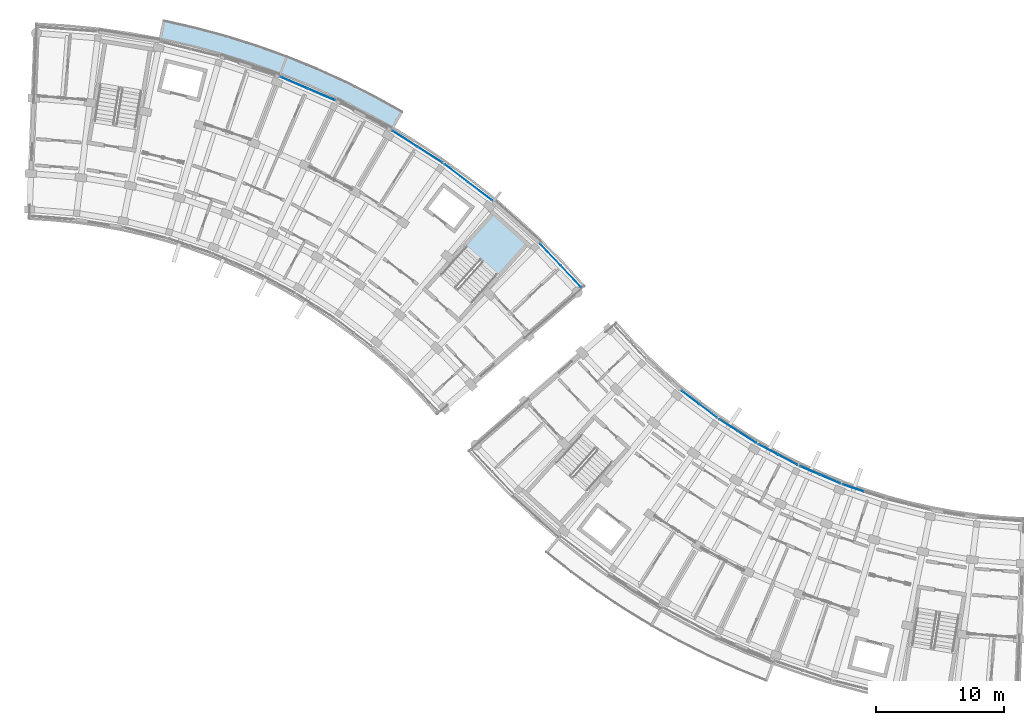
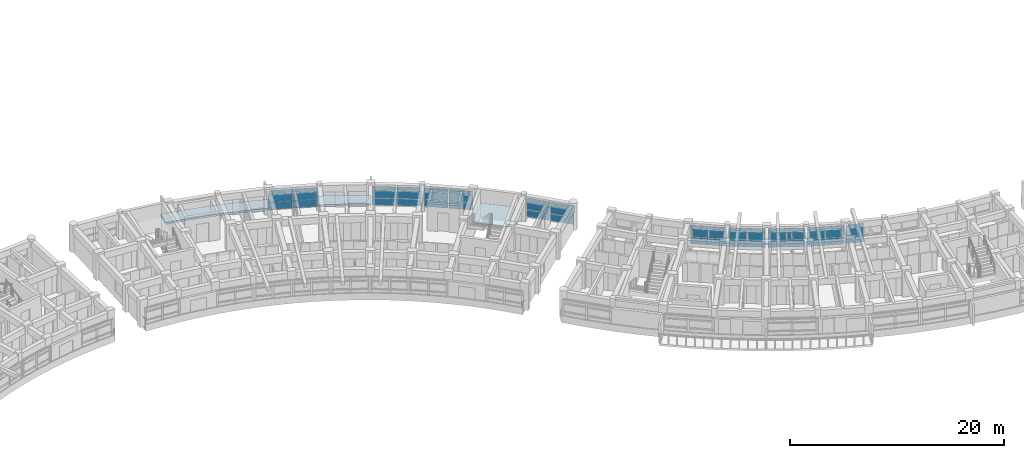
# One storey, part 36 of 70: 51 plates, 2 slabs, 10 elements without a shape of their own.
"""IFC4 building model written with IfcOpenShell, lengths in metres."""

import ifcopenshell
import ifcopenshell.guid

model = None  # the IFC model being written
_history = None  # IfcOwnerHistory: only IFC2X3 demands one
_inside = {}  # id of a spatial element -> (the spatial element, [elements in it])
_under = {}  # id of a project, library or spatial element -> (it, [spatial elements below it])
_declared = {}  # id of a project -> (the project, [libraries it declares])
_typed = {}  # id of a type object -> (the type object, [elements of that type])
_made_of = {}  # id of a material, layer set ... -> (it, [elements and type objects made of it])


def new_model(schema):
    """Start an empty IFC model of exactly this schema.

    Asked for "IFC4X3", IfcOpenShell would pick the latest addendum, in which some entities
    have other attributes; the version numbers below select the first issue.
    IFC2X3 requires an IfcOwnerHistory on every rooted entity: one is made here for all.
    """
    global model, _history
    if schema == "IFC4X3":
        model = ifcopenshell.file(schema_version=(4, 3, 0, 0))
    else:
        model = ifcopenshell.file(schema=schema)
    _inside.clear()
    _under.clear()
    _declared.clear()
    _typed.clear()
    _made_of.clear()
    _history = None
    if model.schema == "IFC2X3":
        org = make("IfcOrganization", Name="unknown")
        user = make(
            "IfcPersonAndOrganization",
            ThePerson=make("IfcPerson", FamilyName="unknown"),
            TheOrganization=org,
        )
        app = make(
            "IfcApplication",
            ApplicationDeveloper=org,
            Version="unknown",
            ApplicationFullName="unknown",
            ApplicationIdentifier="unknown",
        )
        _history = make(
            "IfcOwnerHistory",
            OwningUser=user,
            OwningApplication=app,
            ChangeAction="ADDED",
            CreationDate=0,
        )
    return model


def make(cls, **values):
    """One entity of the class cls with the attributes given. An attribute that is None is left unset."""
    return model.create_entity(
        cls, **{name: value for name, value in values.items() if value is not None}
    )


def rooted(cls, **values):
    """An entity with a GlobalId (a new one), such as an element, a storey or a relation."""
    return make(cls, GlobalId=ifcopenshell.guid.new(), OwnerHistory=_history, **values)


def si_unit(unit_type, name, prefix=None):
    """IfcSIUnit, for example si_unit("LENGTHUNIT", "METRE", prefix="MILLI")."""
    return make("IfcSIUnit", UnitType=unit_type, Prefix=prefix, Name=name)


def assignment(units):
    """IfcUnitAssignment: the units of a project."""
    return None if units is None else make("IfcUnitAssignment", Units=units)


def point(xyz):
    """IfcCartesianPoint."""
    return None if xyz is None else make("IfcCartesianPoint", Coordinates=xyz)


def direction(xyz):
    """IfcDirection."""
    return None if xyz is None else make("IfcDirection", DirectionRatios=xyz)


def frame(location, z_axis=None, x_axis=None):
    """IfcAxis2Placement3D, a coordinate frame: its origin and axes. An axis left out is left unset."""
    return make(
        "IfcAxis2Placement3D",
        Location=point(location),
        Axis=direction(z_axis),
        RefDirection=direction(x_axis),
    )


def frame_2d(location, x_axis=None):
    """IfcAxis2Placement2D, a coordinate frame in the plane: its origin and x axis."""
    return make(
        "IfcAxis2Placement2D", Location=point(location), RefDirection=direction(x_axis)
    )


def origin():
    """The frame at (0, 0, 0) with its axes left unset."""
    return frame((0.0, 0.0, 0.0))


def origin_2d():
    """The frame at (0, 0) in the plane with its x axis left unset."""
    return frame_2d((0.0, 0.0))


def place(relative_to, where):
    """IfcLocalPlacement: puts the frame where relative to a parent placement (None: the world)."""
    return make(
        "IfcLocalPlacement", PlacementRelTo=relative_to, RelativePlacement=where
    )


def context(
    kind, dimensions, precision=None, world=None, true_north=None, identifier=None
):
    """IfcGeometricRepresentationContext, for example the 3D "Model" context."""
    return make(
        "IfcGeometricRepresentationContext",
        ContextIdentifier=identifier,
        ContextType=kind,
        CoordinateSpaceDimension=dimensions,
        Precision=precision,
        WorldCoordinateSystem=world,
        TrueNorth=true_north,
    )


def subcontext(parent, identifier, kind, view, scale=None):
    """IfcGeometricRepresentationSubContext, for example "Body" below "Model"."""
    return make(
        "IfcGeometricRepresentationSubContext",
        ContextIdentifier=identifier,
        ContextType=kind,
        ParentContext=parent,
        TargetScale=scale,
        TargetView=view,
    )


def project(units=None, contexts=None):
    """IfcProject with its units and contexts."""
    return rooted(
        "IfcProject",
        Name="project",
        RepresentationContexts=contexts,
        UnitsInContext=assignment(units),
    )


def spatial(cls, under=None, at=None, **own):
    """A site, building, storey or space (cls), placed at a placement, below another one or the project."""
    s = rooted(cls, ObjectPlacement=at, **own)
    if under is not None:
        _under.setdefault(under.id(), (under, []))[1].append(s)
    return s


def polyline(points):
    """IfcPolyline through the points."""
    return make("IfcPolyline", Points=[point(p) for p in points])


def profile(cls, at=None, kind="AREA", **sizes):
    """A parametric profile (cls). Its sizes go by their IFC names, for example OverallWidth=200.0."""
    return make(cls, ProfileType=kind, Position=at, **sizes)


def rectangle(**sizes):
    """IfcRectangleProfileDef."""
    return profile("IfcRectangleProfileDef", **sizes)


def outline(outer, holes=None, kind="AREA"):
    """IfcArbitraryClosedProfileDef: a profile drawn as a closed curve; with holes, ...WithVoids."""
    if holes is None:
        return make("IfcArbitraryClosedProfileDef", ProfileType=kind, OuterCurve=outer)
    return make(
        "IfcArbitraryProfileDefWithVoids",
        ProfileType=kind,
        OuterCurve=outer,
        InnerCurves=holes,
    )


def extrude(swept, where, along, depth):
    """IfcExtrudedAreaSolid: the profile swept, set in the frame where, extruded along a direction by depth."""
    return make(
        "IfcExtrudedAreaSolid",
        SweptArea=swept,
        Position=where,
        ExtrudedDirection=direction(along),
        Depth=depth,
    )


def shape(context_of_items, identifier, shape_type, items):
    """IfcShapeRepresentation: the items that make up one representation, for example the "Body"."""
    return make(
        "IfcShapeRepresentation",
        ContextOfItems=context_of_items,
        RepresentationIdentifier=identifier,
        RepresentationType=shape_type,
        Items=items,
    )


def material(Name=None, Category=None):
    """IfcMaterial."""
    return make("IfcMaterial", Name=Name, Category=Category)


def layer(
    of_material, thickness, ventilated=None, Name=None, Category=None, Priority=None
):
    """IfcMaterialLayer: one layer of a wall or slab, of a material (None: an air gap)."""
    return make(
        "IfcMaterialLayer",
        Material=of_material,
        LayerThickness=thickness,
        IsVentilated=ventilated,
        Name=Name,
        Category=Category,
        Priority=Priority,
    )


def layer_set(layers, Name=None):
    """IfcMaterialLayerSet."""
    return make("IfcMaterialLayerSet", MaterialLayers=layers, LayerSetName=Name)


def made_of(thing, what):
    """Note that an element or type object is made of a material, layer set ...; save() writes the relation."""
    if what is not None:
        _made_of.setdefault(what.id(), (what, []))[1].append(thing)
    return thing


def type_object(cls, material=None, **own):
    """A type object (cls), such as IfcWallType, which elements share."""
    return made_of(rooted(cls, **own), material)


def element(
    cls,
    number,
    at=None,
    inside=None,
    cuts=None,
    type_object=None,
    material=None,
    context=None,
    identifier="Body",
    shape_type=None,
    held_by="IfcProductDefinitionShape",
    body=None,
    shapes=None,
    **own,
):
    """One element of the class cls, such as IfcWall. Its Tag is "e" and its number.

    at: its placement. inside: the storey or other place that contains it. cuts: it is an
    opening in that element (IfcRelVoidsElement). A single representation is given by context,
    identifier, shape_type and body (its items); several are given by shapes. held_by: the class
    of the entity that holds the representations. save() writes the other relations.
    """
    e = rooted(cls, Tag="e%d" % number, ObjectPlacement=at, **own)
    if body is not None:
        shapes = [shape(context, identifier, shape_type, body)]
    if shapes is not None:
        e.Representation = make(held_by, Representations=shapes)
    if inside is not None:
        _inside.setdefault(inside.id(), (inside, []))[1].append(e)
    if cuts is not None:
        rooted(
            "IfcRelVoidsElement", RelatingBuildingElement=cuts, RelatedOpeningElement=e
        )
    if type_object is not None:
        _typed.setdefault(type_object.id(), (type_object, []))[1].append(e)
    return made_of(e, material)


def aggregate(whole, parts):
    """IfcRelAggregates: a whole, such as a stair, and the parts it consists of."""
    return rooted("IfcRelAggregates", RelatingObject=whole, RelatedObjects=parts)


def save(model, path):
    """Write the relations noted so far, then the file.

    IfcRelAggregates (storeys below a building ...), IfcRelContainedInSpatialStructure (elements
    in a storey), IfcRelDefinesByType, IfcRelAssociatesMaterial and IfcRelDeclares: one each for
    every whole, place, type object, material and project.
    """
    for whole, parts in _under.values():
        aggregate(whole, parts)
    for where, things in _inside.values():
        rooted(
            "IfcRelContainedInSpatialStructure",
            RelatedElements=things,
            RelatingStructure=where,
        )
    for kind, things in _typed.values():
        rooted("IfcRelDefinesByType", RelatedObjects=things, RelatingType=kind)
    for what, things in _made_of.values():
        rooted("IfcRelAssociatesMaterial", RelatedObjects=things, RelatingMaterial=what)
    for by, libraries in _declared.values():
        rooted("IfcRelDeclares", RelatingContext=by, RelatedDefinitions=libraries)
    model.write(path)


model = new_model("IFC4")

# Units and contexts
model_context = context("Model", 3, precision=1e-05, world=origin(), true_north=direction((0.0, 1.0)))
body_context = subcontext(model_context, "Body", "Model", "MODEL_VIEW")
ifc_project = project(units=[si_unit("LENGTHUNIT", "METRE"), si_unit("AREAUNIT", "SQUARE_METRE"), si_unit("VOLUMEUNIT", "CUBIC_METRE"), si_unit("PLANEANGLEUNIT", "RADIAN"), si_unit("MASSUNIT", "GRAM", prefix="KILO")], contexts=[model_context])

# Site, building, storey
site_placement = place(None, origin())
site = spatial("IfcSite", under=ifc_project, at=site_placement, CompositionType="ELEMENT")
building_placement = place(site_placement, origin())
building = spatial("IfcBuilding", under=site, at=building_placement, Name="Zimvara Arc Housing Community", CompositionType="ELEMENT")
storey_placement = place(building_placement, frame((0.0, 0.0, 8.10009765625)))
storey = spatial("IfcBuildingStorey", under=building, at=storey_placement, Name="L02", CompositionType="ELEMENT", Elevation=8.10009765625)

# Curtain wall, plates
ifc_material_1 = material(Name="Anodised Aluminium AW-6063", Category="aluminium")
curtain_wall_type_1 = type_object("IfcCurtainWallType", Name="CW-SYS-08", PredefinedType="USERDEFINED", material=ifc_material_1)
curtain_wall_1_placement = place(storey_placement, origin())
curtain_wall_1 = element("IfcCurtainWall", 1, at=curtain_wall_1_placement, inside=storey, type_object=curtain_wall_type_1, Name="cw:blkC:L02:in:b2", ObjectType="CURTAIN WALL", PredefinedType="USERDEFINED")
ifc_material_2 = material(Name="Pale-Gold Anodised Aluminium Spandrel Panel", Category="aluminium")
ifc_layer_1 = layer(ifc_material_2, 0.035888671875)
ifc_layer_set_1 = layer_set([ifc_layer_1], Name="Pale-Gold Anodised Aluminium Spandrel Panel")
plate_type_1 = type_object("IfcPlateType", Name="CWP-GLD-36", PredefinedType="CURTAIN_PANEL", material=ifc_layer_set_1)
plate_1_placement = place(storey_placement, frame((98.275634765625, 74.91943359375, 0.06494140625), z_axis=(0.0, 0.0, 1.0), x_axis=(0.795473543119, -0.605988318533, 0.0)))
plate_1 = element("IfcPlate", 2, at=plate_1_placement, type_object=plate_type_1, Name="CW08 panel 1.1", PredefinedType="CURTAIN_PANEL", context=body_context, shape_type="SweptSolid", body=[
    extrude(rectangle(XDim=1.664306640625, YDim=0.035888671875, at=origin_2d()), origin(), (0.0, 0.0, 1.0), 0.75244140625),
])
plate_2_placement = place(storey_placement, frame((98.275634765625, 74.91943359375, 0.88232421875), z_axis=(0.0, 0.0, 1.0), x_axis=(0.795473543119, -0.605988318533, 0.0)))
plate_2 = element("IfcPlate", 3, at=plate_2_placement, type_object=plate_type_1, Name="CW08 panel 1.2", PredefinedType="CURTAIN_PANEL", context=body_context, shape_type="SweptSolid", body=[
    extrude(rectangle(XDim=1.664306640625, YDim=0.035888671875, at=origin_2d()), origin(), (0.0, 0.0, 1.0), 0.885009765625),
])
plate_3_placement = place(storey_placement, frame((98.275634765625, 74.91943359375, 1.832275390625), z_axis=(0.0, 0.0, 1.0), x_axis=(0.795473543119, -0.605988318533, 0.0)))
plate_3 = element("IfcPlate", 4, at=plate_3_placement, type_object=plate_type_1, Name="CW08 panel 1.3", PredefinedType="CURTAIN_PANEL", context=body_context, shape_type="SweptSolid", body=[
    extrude(rectangle(XDim=1.664306640625, YDim=0.035888671875, at=origin_2d()), origin(), (0.0, 0.0, 1.0), 0.3525390625),
])
plate_4_placement = place(storey_placement, frame((99.651123046875, 73.87158203125, 0.06494140625), z_axis=(0.0, 0.0, 1.0), x_axis=(0.795473543119, -0.605988318533, 0.0)))
plate_4 = element("IfcPlate", 5, at=plate_4_placement, type_object=plate_type_1, Name="CW08 panel 2.1", PredefinedType="CURTAIN_PANEL", context=body_context, shape_type="SweptSolid", body=[
    extrude(rectangle(XDim=1.664306640625, YDim=0.035888671875, at=origin_2d()), origin(), (0.0, 0.0, 1.0), 0.75244140625),
])
plate_5_placement = place(storey_placement, frame((99.651123046875, 73.87158203125, 0.88232421875), z_axis=(0.0, 0.0, 1.0), x_axis=(0.795473543119, -0.605988318533, 0.0)))
plate_5 = element("IfcPlate", 6, at=plate_5_placement, type_object=plate_type_1, Name="CW08 panel 2.2", PredefinedType="CURTAIN_PANEL", context=body_context, shape_type="SweptSolid", body=[
    extrude(rectangle(XDim=1.664306640625, YDim=0.035888671875, at=origin_2d()), origin(), (0.0, 0.0, 1.0), 0.885009765625),
])
plate_6_placement = place(storey_placement, frame((99.651123046875, 73.87158203125, 1.832275390625), z_axis=(0.0, 0.0, 1.0), x_axis=(0.795473543119, -0.605988318533, 0.0)))
plate_6 = element("IfcPlate", 7, at=plate_6_placement, type_object=plate_type_1, Name="CW08 panel 2.3", PredefinedType="CURTAIN_PANEL", context=body_context, shape_type="SweptSolid", body=[
    extrude(rectangle(XDim=1.664306640625, YDim=0.035888671875, at=origin_2d()), origin(), (0.0, 0.0, 1.0), 0.3525390625),
])
aggregate(curtain_wall_1, [plate_1, plate_2, plate_3, plate_4, plate_5, plate_6])

ifc_material_3 = material(Name="Anodised Aluminium AW-6063", Category="aluminium")
curtain_wall_type_2 = type_object("IfcCurtainWallType", Name="CW-SYS-04", PredefinedType="USERDEFINED", material=ifc_material_3)
curtain_wall_2_placement = place(storey_placement, origin())
curtain_wall_2 = element("IfcCurtainWall", 8, at=curtain_wall_2_placement, inside=storey, type_object=curtain_wall_type_2, Name="cw:blkC:L02:in:b5", ObjectType="CURTAIN WALL", PredefinedType="USERDEFINED")
plate_7_placement = place(storey_placement, frame((107.57958984375, 69.2421875, 0.06494140625), z_axis=(0.0, 0.0, 1.0), x_axis=(0.918722178415, -0.394904493375, 0.0)))
plate_7 = element("IfcPlate", 9, at=plate_7_placement, type_object=plate_type_1, Name="CW04 panel 1.1", PredefinedType="CURTAIN_PANEL", context=body_context, shape_type="SweptSolid", body=[
    extrude(rectangle(XDim=1.664306640625, YDim=0.035888671875, at=origin_2d()), origin(), (0.0, 0.0, 1.0), 0.75244140625),
])
plate_8_placement = place(storey_placement, frame((107.57958984375, 69.2421875, 0.88232421875), z_axis=(0.0, 0.0, 1.0), x_axis=(0.918722178415, -0.394904493375, 0.0)))
plate_8 = element("IfcPlate", 10, at=plate_8_placement, type_object=plate_type_1, Name="CW04 panel 1.2", PredefinedType="CURTAIN_PANEL", context=body_context, shape_type="SweptSolid", body=[
    extrude(rectangle(XDim=1.664306640625, YDim=0.035888671875, at=origin_2d()), origin(), (0.0, 0.0, 1.0), 0.885009765625),
])
plate_9_placement = place(storey_placement, frame((107.57958984375, 69.2421875, 1.832275390625), z_axis=(0.0, 0.0, 1.0), x_axis=(0.918722178415, -0.394904493375, 0.0)))
plate_9 = element("IfcPlate", 11, at=plate_9_placement, type_object=plate_type_1, Name="CW04 panel 1.3", PredefinedType="CURTAIN_PANEL", context=body_context, shape_type="SweptSolid", body=[
    extrude(rectangle(XDim=1.664306640625, YDim=0.035888671875, at=origin_2d()), origin(), (0.0, 0.0, 1.0), 0.3525390625),
])
plate_10_placement = place(storey_placement, frame((109.16845703125, 68.559326171875, 0.06494140625), z_axis=(0.0, 0.0, 1.0), x_axis=(0.918722178415, -0.394904493375, 0.0)))
plate_10 = element("IfcPlate", 12, at=plate_10_placement, type_object=plate_type_1, Name="CW04 panel 2.1", PredefinedType="CURTAIN_PANEL", context=body_context, shape_type="SweptSolid", body=[
    extrude(rectangle(XDim=1.664306640625, YDim=0.035888671875, at=origin_2d()), origin(), (0.0, 0.0, 1.0), 0.75244140625),
])
plate_11_placement = place(storey_placement, frame((109.16845703125, 68.559326171875, 0.88232421875), z_axis=(0.0, 0.0, 1.0), x_axis=(0.918722178415, -0.394904493375, 0.0)))
plate_11 = element("IfcPlate", 13, at=plate_11_placement, type_object=plate_type_1, Name="CW04 panel 2.2", PredefinedType="CURTAIN_PANEL", context=body_context, shape_type="SweptSolid", body=[
    extrude(rectangle(XDim=1.664306640625, YDim=0.035888671875, at=origin_2d()), origin(), (0.0, 0.0, 1.0), 0.885009765625),
])
plate_12_placement = place(storey_placement, frame((109.16845703125, 68.559326171875, 1.832275390625), z_axis=(0.0, 0.0, 1.0), x_axis=(0.918722178415, -0.394904493375, 0.0)))
plate_12 = element("IfcPlate", 14, at=plate_12_placement, type_object=plate_type_1, Name="CW04 panel 2.3", PredefinedType="CURTAIN_PANEL", context=body_context, shape_type="SweptSolid", body=[
    extrude(rectangle(XDim=1.664306640625, YDim=0.035888671875, at=origin_2d()), origin(), (0.0, 0.0, 1.0), 0.3525390625),
])
aggregate(curtain_wall_2, [plate_7, plate_8, plate_9, plate_10, plate_11, plate_12])

ifc_material_4 = material(Name="Anodised Aluminium AW-6063", Category="aluminium")
curtain_wall_type_3 = type_object("IfcCurtainWallType", Name="CW-SYS-01", PredefinedType="USERDEFINED", material=ifc_material_4)
curtain_wall_3_placement = place(storey_placement, origin())
curtain_wall_3 = element("IfcCurtainWall", 15, at=curtain_wall_3_placement, inside=storey, type_object=curtain_wall_type_3, Name="cw:blkB:L02:out:b6", ObjectType="CURTAIN WALL", PredefinedType="USERDEFINED")
ifc_material_5 = material(Name="Solar Control Low-E Double Glazing", Category="glass")
ifc_layer_2 = layer(ifc_material_5, 0.02392578125)
ifc_layer_set_2 = layer_set([ifc_layer_2], Name="Solar Control Low-E Double Glazing")
plate_type_2 = type_object("IfcPlateType", Name="CWP-GLZ-24", PredefinedType="CURTAIN_PANEL", material=ifc_layer_set_2)
plate_13_placement = place(storey_placement, frame((76.0009765625, 95.1005859375, 0.06494140625), z_axis=(0.0, 0.0, 1.0), x_axis=(0.842264410931, -0.539064617721, 0.0)))
plate_13 = element("IfcPlate", 16, at=plate_13_placement, type_object=plate_type_2, Name="CW01 panel 1.1", PredefinedType="CURTAIN_PANEL", context=body_context, shape_type="SweptSolid", body=[
    extrude(rectangle(XDim=2.266845703125, YDim=0.02392578125, at=origin_2d()), origin(), (0.0, 0.0, 1.0), 0.75244140625),
])
plate_14_placement = place(storey_placement, frame((76.0009765625, 95.1005859375, 0.88232421875), z_axis=(0.0, 0.0, 1.0), x_axis=(0.842264410931, -0.539064617721, 0.0)))
plate_14 = element("IfcPlate", 17, at=plate_14_placement, type_object=plate_type_2, Name="CW01 panel 1.2", PredefinedType="CURTAIN_PANEL", context=body_context, shape_type="SweptSolid", body=[
    extrude(rectangle(XDim=2.266845703125, YDim=0.02392578125, at=origin_2d()), origin(), (0.0, 0.0, 1.0), 0.885009765625),
])
plate_15_placement = place(storey_placement, frame((76.0009765625, 95.1005859375, 1.832275390625), z_axis=(0.0, 0.0, 1.0), x_axis=(0.842264410931, -0.539064617721, 0.0)))
plate_15 = element("IfcPlate", 18, at=plate_15_placement, type_object=plate_type_2, Name="CW01 panel 1.3", PredefinedType="CURTAIN_PANEL", context=body_context, shape_type="SweptSolid", body=[
    extrude(rectangle(XDim=2.266845703125, YDim=0.02392578125, at=origin_2d()), origin(), (0.0, 0.0, 1.0), 0.3525390625),
])
plate_16_placement = place(storey_placement, frame((77.965087890625, 93.843505859375, 0.06494140625), z_axis=(0.0, 0.0, 1.0), x_axis=(0.842264410931, -0.539064617721, 0.0)))
plate_16 = element("IfcPlate", 19, at=plate_16_placement, type_object=plate_type_2, Name="CW01 panel 2.1", PredefinedType="CURTAIN_PANEL", context=body_context, shape_type="SweptSolid", body=[
    extrude(rectangle(XDim=2.266845703125, YDim=0.02392578125, at=origin_2d()), origin(), (0.0, 0.0, 1.0), 0.75244140625),
])
plate_17_placement = place(storey_placement, frame((77.965087890625, 93.843505859375, 0.88232421875), z_axis=(0.0, 0.0, 1.0), x_axis=(0.842264410931, -0.539064617721, 0.0)))
plate_17 = element("IfcPlate", 20, at=plate_17_placement, type_object=plate_type_2, Name="CW01 panel 2.2", PredefinedType="CURTAIN_PANEL", context=body_context, shape_type="SweptSolid", body=[
    extrude(rectangle(XDim=2.266845703125, YDim=0.02392578125, at=origin_2d()), origin(), (0.0, 0.0, 1.0), 0.885009765625),
])
plate_18_placement = place(storey_placement, frame((77.965087890625, 93.843505859375, 1.832275390625), z_axis=(0.0, 0.0, 1.0), x_axis=(0.842264410931, -0.539064617721, 0.0)))
plate_18 = element("IfcPlate", 21, at=plate_18_placement, type_object=plate_type_2, Name="CW01 panel 2.3", PredefinedType="CURTAIN_PANEL", context=body_context, shape_type="SweptSolid", body=[
    extrude(rectangle(XDim=2.266845703125, YDim=0.02392578125, at=origin_2d()), origin(), (0.0, 0.0, 1.0), 0.3525390625),
])
aggregate(curtain_wall_3, [plate_13, plate_14, plate_15, plate_16, plate_17, plate_18])

ifc_material_6 = material(Name="Anodised Aluminium AW-6063", Category="aluminium")
curtain_wall_type_4 = type_object("IfcCurtainWallType", Name="CW-SYS-05", PredefinedType="USERDEFINED", material=ifc_material_6)
curtain_wall_4_placement = place(storey_placement, origin())
curtain_wall_4 = element("IfcCurtainWall", 22, at=curtain_wall_4_placement, inside=storey, type_object=curtain_wall_type_4, Name="cw:blkB:L02:out:b9", ObjectType="CURTAIN WALL", PredefinedType="USERDEFINED")
plate_19_placement = place(storey_placement, frame((87.350341796875, 86.068115234375, 0.06494140625), z_axis=(0.0, 0.0, 1.0), x_axis=(0.686326416495, -0.727293647725, 0.0)))
plate_19 = element("IfcPlate", 23, at=plate_19_placement, type_object=plate_type_2, Name="CW05 panel 1.1", PredefinedType="CURTAIN_PANEL", context=body_context, shape_type="SweptSolid", body=[
    extrude(rectangle(XDim=2.266845703125, YDim=0.02392578125, at=origin_2d()), origin(), (0.0, 0.0, 1.0), 0.75244140625),
])
plate_20_placement = place(storey_placement, frame((87.350341796875, 86.068115234375, 0.88232421875), z_axis=(0.0, 0.0, 1.0), x_axis=(0.686326416495, -0.727293647725, 0.0)))
plate_20 = element("IfcPlate", 24, at=plate_20_placement, type_object=plate_type_2, Name="CW05 panel 1.2", PredefinedType="CURTAIN_PANEL", context=body_context, shape_type="SweptSolid", body=[
    extrude(rectangle(XDim=2.266845703125, YDim=0.02392578125, at=origin_2d()), origin(), (0.0, 0.0, 1.0), 0.885009765625),
])
plate_21_placement = place(storey_placement, frame((87.350341796875, 86.068115234375, 1.832275390625), z_axis=(0.0, 0.0, 1.0), x_axis=(0.686326416495, -0.727293647725, 0.0)))
plate_21 = element("IfcPlate", 25, at=plate_21_placement, type_object=plate_type_2, Name="CW05 panel 1.3", PredefinedType="CURTAIN_PANEL", context=body_context, shape_type="SweptSolid", body=[
    extrude(rectangle(XDim=2.266845703125, YDim=0.02392578125, at=origin_2d()), origin(), (0.0, 0.0, 1.0), 0.3525390625),
])
plate_22_placement = place(storey_placement, frame((88.950927734375, 84.3720703125, 0.06494140625), z_axis=(0.0, 0.0, 1.0), x_axis=(0.686326416495, -0.727293647725, 0.0)))
plate_22 = element("IfcPlate", 26, at=plate_22_placement, type_object=plate_type_2, Name="CW05 panel 2.1", PredefinedType="CURTAIN_PANEL", context=body_context, shape_type="SweptSolid", body=[
    extrude(rectangle(XDim=2.266845703125, YDim=0.02392578125, at=origin_2d()), origin(), (0.0, 0.0, 1.0), 0.75244140625),
])
plate_23_placement = place(storey_placement, frame((88.950927734375, 84.3720703125, 0.88232421875), z_axis=(0.0, 0.0, 1.0), x_axis=(0.686326416495, -0.727293647725, 0.0)))
plate_23 = element("IfcPlate", 27, at=plate_23_placement, type_object=plate_type_2, Name="CW05 panel 2.2", PredefinedType="CURTAIN_PANEL", context=body_context, shape_type="SweptSolid", body=[
    extrude(rectangle(XDim=2.266845703125, YDim=0.02392578125, at=origin_2d()), origin(), (0.0, 0.0, 1.0), 0.885009765625),
])
plate_24_placement = place(storey_placement, frame((88.950927734375, 84.3720703125, 1.832275390625), z_axis=(0.0, 0.0, 1.0), x_axis=(0.686326416495, -0.727293647725, 0.0)))
plate_24 = element("IfcPlate", 28, at=plate_24_placement, type_object=plate_type_2, Name="CW05 panel 2.3", PredefinedType="CURTAIN_PANEL", context=body_context, shape_type="SweptSolid", body=[
    extrude(rectangle(XDim=2.266845703125, YDim=0.02392578125, at=origin_2d()), origin(), (0.0, 0.0, 1.0), 0.3525390625),
])
aggregate(curtain_wall_4, [plate_19, plate_20, plate_21, plate_22, plate_23, plate_24])

curtain_wall_5_placement = place(storey_placement, origin())
curtain_wall_5 = element("IfcCurtainWall", 29, at=curtain_wall_5_placement, inside=storey, type_object=curtain_wall_type_3, Name="cw:blkC:L02:in:b3", ObjectType="CURTAIN WALL", PredefinedType="USERDEFINED")
plate_25_placement = place(storey_placement, frame((101.21875, 72.775634765625, 0.06494140625), z_axis=(0.0, 0.0, 1.0), x_axis=(0.842264751752, -0.539064085203, 0.0)))
plate_25 = element("IfcPlate", 30, at=plate_25_placement, type_object=plate_type_2, Name="CW01 panel 1.1", PredefinedType="CURTAIN_PANEL", context=body_context, shape_type="SweptSolid", body=[
    extrude(rectangle(XDim=1.664306640625, YDim=0.02392578125, at=origin_2d()), origin(), (0.0, 0.0, 1.0), 0.75244140625),
])
plate_26_placement = place(storey_placement, frame((101.21875, 72.775634765625, 0.88232421875), z_axis=(0.0, 0.0, 1.0), x_axis=(0.842264751752, -0.539064085203, 0.0)))
plate_26 = element("IfcPlate", 31, at=plate_26_placement, type_object=plate_type_2, Name="CW01 panel 1.2", PredefinedType="CURTAIN_PANEL", context=body_context, shape_type="SweptSolid", body=[
    extrude(rectangle(XDim=1.664306640625, YDim=0.02392578125, at=origin_2d()), origin(), (0.0, 0.0, 1.0), 0.885009765625),
])
plate_27_placement = place(storey_placement, frame((101.21875, 72.775634765625, 1.832275390625), z_axis=(0.0, 0.0, 1.0), x_axis=(0.842264751752, -0.539064085203, 0.0)))
plate_27 = element("IfcPlate", 32, at=plate_27_placement, type_object=plate_type_2, Name="CW01 panel 1.3", PredefinedType="CURTAIN_PANEL", context=body_context, shape_type="SweptSolid", body=[
    extrude(rectangle(XDim=1.664306640625, YDim=0.02392578125, at=origin_2d()), origin(), (0.0, 0.0, 1.0), 0.3525390625),
])
plate_28_placement = place(storey_placement, frame((102.67529296875, 71.843505859375, 0.06494140625), z_axis=(0.0, 0.0, 1.0), x_axis=(0.842264751752, -0.539064085203, 0.0)))
plate_28 = element("IfcPlate", 33, at=plate_28_placement, type_object=plate_type_2, Name="CW01 panel 2.1", PredefinedType="CURTAIN_PANEL", context=body_context, shape_type="SweptSolid", body=[
    extrude(rectangle(XDim=1.664306640625, YDim=0.02392578125, at=origin_2d()), origin(), (0.0, 0.0, 1.0), 0.75244140625),
])
plate_29_placement = place(storey_placement, frame((102.67529296875, 71.843505859375, 0.88232421875), z_axis=(0.0, 0.0, 1.0), x_axis=(0.842264751752, -0.539064085203, 0.0)))
plate_29 = element("IfcPlate", 34, at=plate_29_placement, type_object=plate_type_2, Name="CW01 panel 2.2", PredefinedType="CURTAIN_PANEL", context=body_context, shape_type="SweptSolid", body=[
    extrude(rectangle(XDim=1.664306640625, YDim=0.02392578125, at=origin_2d()), origin(), (0.0, 0.0, 1.0), 0.885009765625),
])
plate_30_placement = place(storey_placement, frame((102.67529296875, 71.843505859375, 1.832275390625), z_axis=(0.0, 0.0, 1.0), x_axis=(0.842264751752, -0.539064085203, 0.0)))
plate_30 = element("IfcPlate", 35, at=plate_30_placement, type_object=plate_type_2, Name="CW01 panel 2.3", PredefinedType="CURTAIN_PANEL", context=body_context, shape_type="SweptSolid", body=[
    extrude(rectangle(XDim=1.664306640625, YDim=0.02392578125, at=origin_2d()), origin(), (0.0, 0.0, 1.0), 0.3525390625),
])
aggregate(curtain_wall_5, [plate_25, plate_26, plate_27, plate_28, plate_29, plate_30])

ifc_material_7 = material(Name="Anodised Aluminium AW-6063", Category="aluminium")
curtain_wall_type_5 = type_object("IfcCurtainWallType", Name="CW-SYS-06", PredefinedType="USERDEFINED", material=ifc_material_7)
curtain_wall_6_placement = place(storey_placement, origin())
curtain_wall_6 = element("IfcCurtainWall", 36, at=curtain_wall_6_placement, inside=storey, type_object=curtain_wall_type_5, Name="cw:blkB:L02:out:b4", ObjectType="CURTAIN WALL", PredefinedType="USERDEFINED")
ifc_material_8 = material(Name="Solar Control Low-E Double Glazing", Category="glass")
ifc_layer_3 = layer(ifc_material_8, 0.028076171875)
ifc_layer_set_3 = layer_set([ifc_layer_3], Name="Solar Control Low-E Double Glazing")
plate_type_3 = type_object("IfcPlateType", Name="CWP-GLZ-28", PredefinedType="CURTAIN_PANEL", material=ifc_layer_set_3)
plate_31_placement = place(storey_placement, frame((67.358642578125, 99.46875, 0.06494140625), z_axis=(0.0, 0.0, 1.0), x_axis=(0.918722299363, -0.394904211998, 0.0)))
plate_31 = element("IfcPlate", 37, at=plate_31_placement, type_object=plate_type_3, Name="CW06 panel 1.1", PredefinedType="CURTAIN_PANEL", context=body_context, shape_type="SweptSolid", body=[
    extrude(rectangle(XDim=2.266845703125, YDim=0.028076171875, at=origin_2d()), origin(), (0.0, 0.0, 1.0), 0.75244140625),
])
plate_32_placement = place(storey_placement, frame((67.358642578125, 99.46875, 0.88232421875), z_axis=(0.0, 0.0, 1.0), x_axis=(0.918722299363, -0.394904211998, 0.0)))
plate_32 = element("IfcPlate", 38, at=plate_32_placement, type_object=plate_type_3, Name="CW06 panel 1.2", PredefinedType="CURTAIN_PANEL", context=body_context, shape_type="SweptSolid", body=[
    extrude(rectangle(XDim=2.266845703125, YDim=0.028076171875, at=origin_2d()), origin(), (0.0, 0.0, 1.0), 0.885009765625),
])
plate_33_placement = place(storey_placement, frame((67.358642578125, 99.46875, 1.832275390625), z_axis=(0.0, 0.0, 1.0), x_axis=(0.918722299363, -0.394904211998, 0.0)))
plate_33 = element("IfcPlate", 39, at=plate_33_placement, type_object=plate_type_3, Name="CW06 panel 1.3", PredefinedType="CURTAIN_PANEL", context=body_context, shape_type="SweptSolid", body=[
    extrude(rectangle(XDim=2.266845703125, YDim=0.028076171875, at=origin_2d()), origin(), (0.0, 0.0, 1.0), 0.3525390625),
])
plate_34_placement = place(storey_placement, frame((69.5009765625, 98.5478515625, 0.06494140625), z_axis=(0.0, 0.0, 1.0), x_axis=(0.918722299363, -0.394904211998, 0.0)))
plate_34 = element("IfcPlate", 40, at=plate_34_placement, type_object=plate_type_3, Name="CW06 panel 2.1", PredefinedType="CURTAIN_PANEL", context=body_context, shape_type="SweptSolid", body=[
    extrude(rectangle(XDim=2.266845703125, YDim=0.028076171875, at=origin_2d()), origin(), (0.0, 0.0, 1.0), 0.75244140625),
])
plate_35_placement = place(storey_placement, frame((69.5009765625, 98.5478515625, 0.88232421875), z_axis=(0.0, 0.0, 1.0), x_axis=(0.918722299363, -0.394904211998, 0.0)))
plate_35 = element("IfcPlate", 41, at=plate_35_placement, type_object=plate_type_3, Name="CW06 panel 2.2", PredefinedType="CURTAIN_PANEL", context=body_context, shape_type="SweptSolid", body=[
    extrude(rectangle(XDim=2.266845703125, YDim=0.028076171875, at=origin_2d()), origin(), (0.0, 0.0, 1.0), 0.885009765625),
])
plate_36_placement = place(storey_placement, frame((69.5009765625, 98.5478515625, 1.832275390625), z_axis=(0.0, 0.0, 1.0), x_axis=(0.918722299363, -0.394904211998, 0.0)))
plate_36 = element("IfcPlate", 42, at=plate_36_placement, type_object=plate_type_3, Name="CW06 panel 2.3", PredefinedType="CURTAIN_PANEL", context=body_context, shape_type="SweptSolid", body=[
    extrude(rectangle(XDim=2.266845703125, YDim=0.028076171875, at=origin_2d()), origin(), (0.0, 0.0, 1.0), 0.3525390625),
])
aggregate(curtain_wall_6, [plate_31, plate_32, plate_33, plate_34, plate_35, plate_36])

curtain_wall_7_placement = place(storey_placement, origin())
curtain_wall_7 = element("IfcCurtainWall", 43, at=curtain_wall_7_placement, inside=storey, type_object=curtain_wall_type_5, Name="cw:blkC:L02:in:b6", ObjectType="CURTAIN WALL", PredefinedType="USERDEFINED")
plate_37_placement = place(storey_placement, frame((110.955078125, 67.87646484375, 0.06494140625), z_axis=(0.0, 0.0, 1.0), x_axis=(0.94787908732, -0.318630249383, 0.0)))
plate_37 = element("IfcPlate", 44, at=plate_37_placement, type_object=plate_type_3, Name="CW06 panel 1.1", PredefinedType="CURTAIN_PANEL", context=body_context, shape_type="SweptSolid", body=[
    extrude(rectangle(XDim=1.664306640625, YDim=0.028076171875, at=origin_2d()), origin(), (0.0, 0.0, 1.0), 0.75244140625),
])
plate_38_placement = place(storey_placement, frame((110.955078125, 67.87646484375, 0.88232421875), z_axis=(0.0, 0.0, 1.0), x_axis=(0.94787908732, -0.318630249383, 0.0)))
plate_38 = element("IfcPlate", 45, at=plate_38_placement, type_object=plate_type_3, Name="CW06 panel 1.2", PredefinedType="CURTAIN_PANEL", context=body_context, shape_type="SweptSolid", body=[
    extrude(rectangle(XDim=1.664306640625, YDim=0.028076171875, at=origin_2d()), origin(), (0.0, 0.0, 1.0), 0.885009765625),
])
plate_39_placement = place(storey_placement, frame((110.955078125, 67.87646484375, 1.832275390625), z_axis=(0.0, 0.0, 1.0), x_axis=(0.94787908732, -0.318630249383, 0.0)))
plate_39 = element("IfcPlate", 46, at=plate_39_placement, type_object=plate_type_3, Name="CW06 panel 1.3", PredefinedType="CURTAIN_PANEL", context=body_context, shape_type="SweptSolid", body=[
    extrude(rectangle(XDim=1.664306640625, YDim=0.028076171875, at=origin_2d()), origin(), (0.0, 0.0, 1.0), 0.3525390625),
])
aggregate(curtain_wall_7, [plate_37, plate_38, plate_39])

ifc_material_9 = material(Name="Anodised Aluminium AW-6063", Category="aluminium")
curtain_wall_type_6 = type_object("IfcCurtainWallType", Name="CW-SYS-03", PredefinedType="USERDEFINED", material=ifc_material_9)
curtain_wall_8_placement = place(storey_placement, origin())
curtain_wall_8 = element("IfcCurtainWall", 47, at=curtain_wall_8_placement, inside=storey, type_object=curtain_wall_type_6, Name="cw:blkB:L02:out:b7", ObjectType="CURTAIN WALL", PredefinedType="USERDEFINED")
ifc_material_10 = material(Name="Acoustic Laminated Solar Glazing", Category="glass")
ifc_layer_4 = layer(ifc_material_10, 0.031982421875)
ifc_layer_set_4 = layer_set([ifc_layer_4], Name="Acoustic Laminated Solar Glazing")
plate_type_4 = type_object("IfcPlateType", Name="CWP-GLZ-32", PredefinedType="CURTAIN_PANEL", material=ifc_layer_set_4)
plate_40_placement = place(storey_placement, frame((80.026123046875, 92.40234375, 0.06494140625), z_axis=(0.0, 0.0, 1.0), x_axis=(0.795473999177, -0.60598771987, 0.0)))
plate_40 = element("IfcPlate", 48, at=plate_40_placement, type_object=plate_type_4, Name="CW03 panel 1.1", PredefinedType="CURTAIN_PANEL", context=body_context, shape_type="SweptSolid", body=[
    extrude(rectangle(XDim=2.266845703125, YDim=0.031982421875, at=origin_2d()), origin(), (0.0, 0.0, 1.0), 0.75244140625),
])
plate_41_placement = place(storey_placement, frame((80.026123046875, 92.40234375, 0.88232421875), z_axis=(0.0, 0.0, 1.0), x_axis=(0.795473999177, -0.60598771987, 0.0)))
plate_41 = element("IfcPlate", 49, at=plate_41_placement, type_object=plate_type_4, Name="CW03 panel 1.2", PredefinedType="CURTAIN_PANEL", context=body_context, shape_type="SweptSolid", body=[
    extrude(rectangle(XDim=2.266845703125, YDim=0.031982421875, at=origin_2d()), origin(), (0.0, 0.0, 1.0), 0.885009765625),
])
plate_42_placement = place(storey_placement, frame((80.026123046875, 92.40234375, 1.832275390625), z_axis=(0.0, 0.0, 1.0), x_axis=(0.795473999177, -0.60598771987, 0.0)))
plate_42 = element("IfcPlate", 50, at=plate_42_placement, type_object=plate_type_4, Name="CW03 panel 1.3", PredefinedType="CURTAIN_PANEL", context=body_context, shape_type="SweptSolid", body=[
    extrude(rectangle(XDim=2.266845703125, YDim=0.031982421875, at=origin_2d()), origin(), (0.0, 0.0, 1.0), 0.3525390625),
])
plate_43_placement = place(storey_placement, frame((81.881103515625, 90.9892578125, 0.06494140625), z_axis=(0.0, 0.0, 1.0), x_axis=(0.795473999177, -0.60598771987, 0.0)))
plate_43 = element("IfcPlate", 51, at=plate_43_placement, type_object=plate_type_4, Name="CW03 panel 2.1", PredefinedType="CURTAIN_PANEL", context=body_context, shape_type="SweptSolid", body=[
    extrude(rectangle(XDim=2.266845703125, YDim=0.031982421875, at=origin_2d()), origin(), (0.0, 0.0, 1.0), 0.75244140625),
])
plate_44_placement = place(storey_placement, frame((81.881103515625, 90.9892578125, 0.88232421875), z_axis=(0.0, 0.0, 1.0), x_axis=(0.795473999177, -0.60598771987, 0.0)))
plate_44 = element("IfcPlate", 52, at=plate_44_placement, type_object=plate_type_4, Name="CW03 panel 2.2", PredefinedType="CURTAIN_PANEL", context=body_context, shape_type="SweptSolid", body=[
    extrude(rectangle(XDim=2.266845703125, YDim=0.031982421875, at=origin_2d()), origin(), (0.0, 0.0, 1.0), 0.885009765625),
])
plate_45_placement = place(storey_placement, frame((81.881103515625, 90.9892578125, 1.832275390625), z_axis=(0.0, 0.0, 1.0), x_axis=(0.795473999177, -0.60598771987, 0.0)))
plate_45 = element("IfcPlate", 53, at=plate_45_placement, type_object=plate_type_4, Name="CW03 panel 2.3", PredefinedType="CURTAIN_PANEL", context=body_context, shape_type="SweptSolid", body=[
    extrude(rectangle(XDim=2.266845703125, YDim=0.031982421875, at=origin_2d()), origin(), (0.0, 0.0, 1.0), 0.3525390625),
])
aggregate(curtain_wall_8, [plate_40, plate_41, plate_42, plate_43, plate_44, plate_45])

curtain_wall_9_placement = place(storey_placement, origin())
curtain_wall_9 = element("IfcCurtainWall", 54, at=curtain_wall_9_placement, inside=storey, type_object=curtain_wall_type_6, Name="cw:blkC:L02:in:b4", ObjectType="CURTAIN WALL", PredefinedType="USERDEFINED")
plate_46_placement = place(storey_placement, frame((104.326904296875, 70.87890625, 0.06494140625), z_axis=(0.0, 0.0, 1.0), x_axis=(0.88343981815, -0.468544648573, 0.0)))
plate_46 = element("IfcPlate", 55, at=plate_46_placement, type_object=plate_type_4, Name="CW03 panel 1.1", PredefinedType="CURTAIN_PANEL", context=body_context, shape_type="SweptSolid", body=[
    extrude(rectangle(XDim=1.664306640625, YDim=0.031982421875, at=origin_2d()), origin(), (0.0, 0.0, 1.0), 0.75244140625),
])
plate_47_placement = place(storey_placement, frame((104.326904296875, 70.87890625, 0.88232421875), z_axis=(0.0, 0.0, 1.0), x_axis=(0.88343981815, -0.468544648573, 0.0)))
plate_47 = element("IfcPlate", 56, at=plate_47_placement, type_object=plate_type_4, Name="CW03 panel 1.2", PredefinedType="CURTAIN_PANEL", context=body_context, shape_type="SweptSolid", body=[
    extrude(rectangle(XDim=1.664306640625, YDim=0.031982421875, at=origin_2d()), origin(), (0.0, 0.0, 1.0), 0.885009765625),
])
plate_48_placement = place(storey_placement, frame((104.326904296875, 70.87890625, 1.832275390625), z_axis=(0.0, 0.0, 1.0), x_axis=(0.88343981815, -0.468544648573, 0.0)))
plate_48 = element("IfcPlate", 57, at=plate_48_placement, type_object=plate_type_4, Name="CW03 panel 1.3", PredefinedType="CURTAIN_PANEL", context=body_context, shape_type="SweptSolid", body=[
    extrude(rectangle(XDim=1.664306640625, YDim=0.031982421875, at=origin_2d()), origin(), (0.0, 0.0, 1.0), 0.3525390625),
])
plate_49_placement = place(storey_placement, frame((105.854736328125, 70.068603515625, 0.06494140625), z_axis=(0.0, 0.0, 1.0), x_axis=(0.88343981815, -0.468544648573, 0.0)))
plate_49 = element("IfcPlate", 58, at=plate_49_placement, type_object=plate_type_4, Name="CW03 panel 2.1", PredefinedType="CURTAIN_PANEL", context=body_context, shape_type="SweptSolid", body=[
    extrude(rectangle(XDim=1.664306640625, YDim=0.031982421875, at=origin_2d()), origin(), (0.0, 0.0, 1.0), 0.75244140625),
])
plate_50_placement = place(storey_placement, frame((105.854736328125, 70.068603515625, 0.88232421875), z_axis=(0.0, 0.0, 1.0), x_axis=(0.88343981815, -0.468544648573, 0.0)))
plate_50 = element("IfcPlate", 59, at=plate_50_placement, type_object=plate_type_4, Name="CW03 panel 2.2", PredefinedType="CURTAIN_PANEL", context=body_context, shape_type="SweptSolid", body=[
    extrude(rectangle(XDim=1.664306640625, YDim=0.031982421875, at=origin_2d()), origin(), (0.0, 0.0, 1.0), 0.885009765625),
])
plate_51_placement = place(storey_placement, frame((105.854736328125, 70.068603515625, 1.832275390625), z_axis=(0.0, 0.0, 1.0), x_axis=(0.88343981815, -0.468544648573, 0.0)))
plate_51 = element("IfcPlate", 60, at=plate_51_placement, type_object=plate_type_4, Name="CW03 panel 2.3", PredefinedType="CURTAIN_PANEL", context=body_context, shape_type="SweptSolid", body=[
    extrude(rectangle(XDim=1.664306640625, YDim=0.031982421875, at=origin_2d()), origin(), (0.0, 0.0, 1.0), 0.3525390625),
])
aggregate(curtain_wall_9, [plate_46, plate_47, plate_48, plate_49, plate_50, plate_51])

# Stair, slab
ifc_material_11 = material(Name="Concrete C35/45", Category="concrete")
stair_type = type_object("IfcStairType", Name="STR-DL-318-310", PredefinedType="HALF_TURN_STAIR", material=ifc_material_11)
stair_placement = place(storey_placement, origin())
stair = element("IfcStair", 61, at=stair_placement, inside=storey, type_object=stair_type, Name="L02 Block B Exit Stair 2", PredefinedType="HALF_TURN_STAIR")
ifc_material_12 = material(Name="Concrete C35/45", Category="concrete")
ifc_layer_5 = layer(ifc_material_12, 0.199951171875)
ifc_layer_set_5 = layer_set([ifc_layer_5], Name="Concrete C35/45")
slab_type_1 = type_object("IfcSlabType", Name="SLB-STAIR-LND-200", PredefinedType="LANDING", material=ifc_layer_set_5)
slab_1_placement = place(storey_placement, frame((0.0, 0.0, 1.349853515625)))
slab_1 = element("IfcSlab", 62, at=slab_1_placement, type_object=slab_type_1, Name="ST-B2 landing 1", PredefinedType="LANDING", context=body_context, shape_type="SweptSolid", body=[
    extrude(outline(polyline([(83.185302734375, 84.42724609375), (85.404541015625, 86.8935546875), (82.90673828125, 89.14111328125), (80.6875, 86.674560546875), (83.185302734375, 84.42724609375)])), origin(), (0.0, 0.0, 1.0), 0.199951171875),
])
aggregate(stair, [slab_1])

# Slab
ifc_material_13 = material(Name="Concrete C35/45", Category="concrete")
ifc_layer_6 = layer(ifc_material_13, 0.2099609375)
ifc_layer_set_6 = layer_set([ifc_layer_6], Name="Concrete C35/45")
slab_type_2 = type_object("IfcSlabType", Name="SLB-TER-210", PredefinedType="FLOOR", material=ifc_layer_set_6)
slab_2_placement = place(storey_placement, frame((0.0, 0.0, -0.210205078125)))
element("IfcSlab", 63, at=slab_2_placement, inside=storey, type_object=slab_type_2, Name="slab:blkB:L02:bal_out", PredefinedType="FLOOR", context=body_context, shape_type="SweptSolid", body=[
    extrude(outline(polyline([(57.244140625, 104.360595703125), (56.949462890625, 102.92041015625), (56.9501953125, 102.92041015625), (59.32421875, 102.384033203125), (59.325439453125, 102.3837890625), (61.675537109375, 101.750732421875), (61.6767578125, 101.75048828125), (63.999267578125, 101.022216796875), (64.00048828125, 101.02197265625), (66.291259765625, 100.199462890625), (66.292236328125, 100.198974609375), (68.547607421875, 99.28369140625), (68.548583984375, 99.283203125), (70.7646484375, 98.276611328125), (70.765869140625, 98.27587890625), (72.93896484375, 97.1796875), (72.93994140625, 97.17919921875), (75.06640625, 95.9951171875), (75.06689453125, 95.994873046875), (75.80810546875, 97.26416015625), (74.724365234375, 97.88232421875), (73.628173828125, 98.47802734375), (72.52001953125, 99.051513671875), (71.400390625, 99.60205078125), (70.269775390625, 100.129638671875), (69.128662109375, 100.634033203125), (67.9775390625, 101.114990234375), (66.816650390625, 101.572265625), (65.646728515625, 102.005859375), (64.46826171875, 102.41552734375), (63.281494140625, 102.80078125), (62.08740234375, 103.162109375), (60.885986328125, 103.498779296875), (59.677978515625, 103.810791015625), (58.4638671875, 104.09814453125), (57.244140625, 104.360595703125)])), origin(), (0.0, 0.0, 1.0), 0.210205078125),
])

save(model, "model.ifc")
